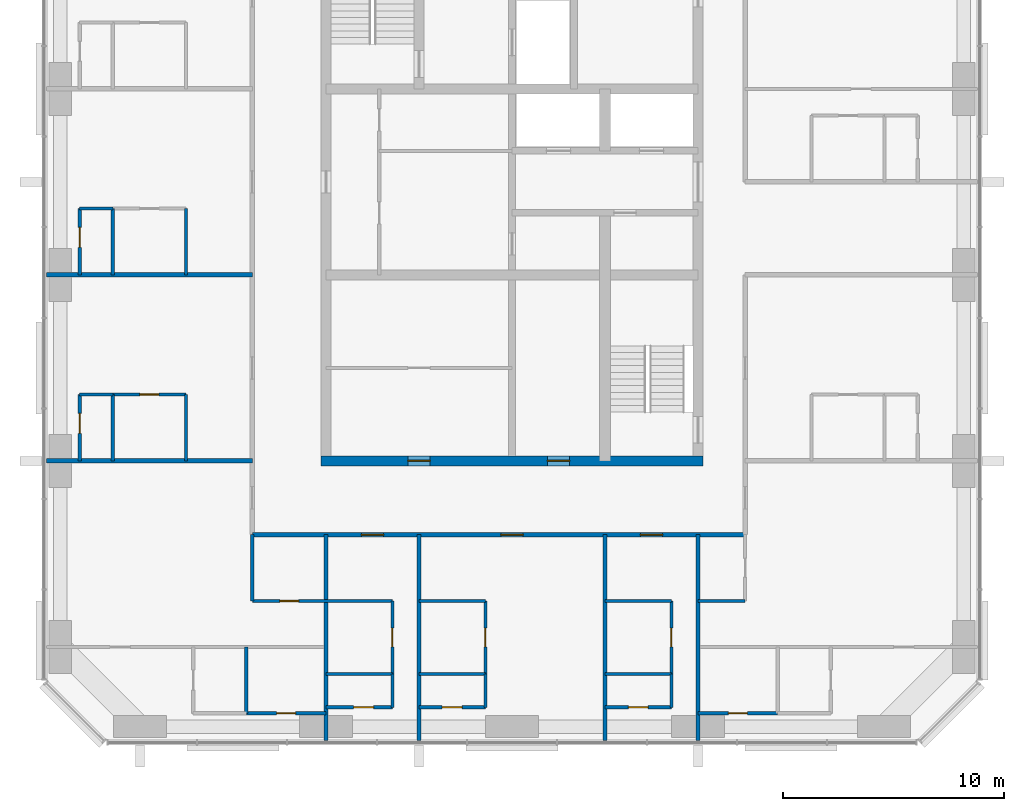
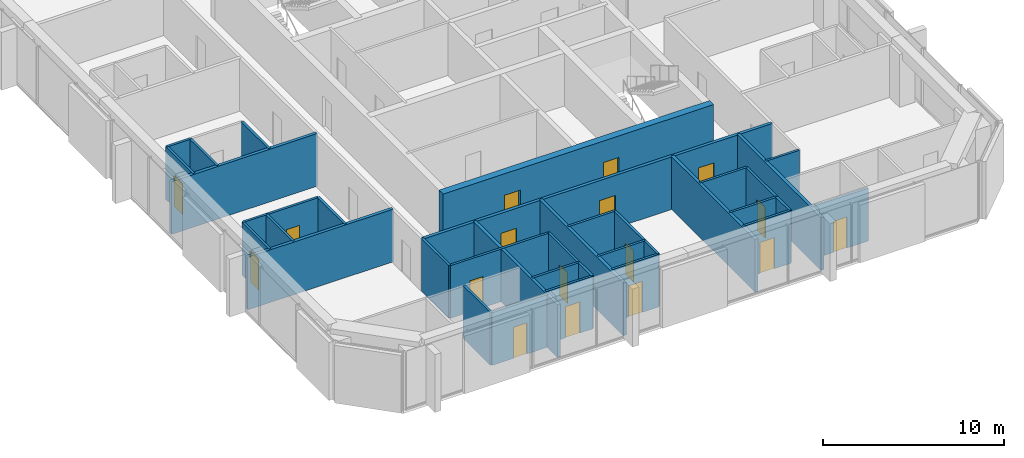
# One storey, part 7 of 12: 37 walls, 17 doors, 17 openings.
"""IFC4 building model written with IfcOpenShell, lengths in metres."""

import ifcopenshell
import ifcopenshell.guid

model = None  # the IFC model being written
_history = None  # IfcOwnerHistory: only IFC2X3 demands one
_inside = {}  # id of a spatial element -> (the spatial element, [elements in it])
_under = {}  # id of a project, library or spatial element -> (it, [spatial elements below it])
_declared = {}  # id of a project -> (the project, [libraries it declares])
_typed = {}  # id of a type object -> (the type object, [elements of that type])
_made_of = {}  # id of a material, layer set ... -> (it, [elements and type objects made of it])


def new_model(schema):
    """Start an empty IFC model of exactly this schema.

    Asked for "IFC4X3", IfcOpenShell would pick the latest addendum, in which some entities
    have other attributes; the version numbers below select the first issue.
    IFC2X3 requires an IfcOwnerHistory on every rooted entity: one is made here for all.
    """
    global model, _history
    if schema == "IFC4X3":
        model = ifcopenshell.file(schema_version=(4, 3, 0, 0))
    else:
        model = ifcopenshell.file(schema=schema)
    _inside.clear()
    _under.clear()
    _declared.clear()
    _typed.clear()
    _made_of.clear()
    _history = None
    if model.schema == "IFC2X3":
        org = make("IfcOrganization", Name="unknown")
        user = make(
            "IfcPersonAndOrganization",
            ThePerson=make("IfcPerson", FamilyName="unknown"),
            TheOrganization=org,
        )
        app = make(
            "IfcApplication",
            ApplicationDeveloper=org,
            Version="unknown",
            ApplicationFullName="unknown",
            ApplicationIdentifier="unknown",
        )
        _history = make(
            "IfcOwnerHistory",
            OwningUser=user,
            OwningApplication=app,
            ChangeAction="ADDED",
            CreationDate=0,
        )
    return model


def make(cls, **values):
    """One entity of the class cls with the attributes given. An attribute that is None is left unset."""
    return model.create_entity(
        cls, **{name: value for name, value in values.items() if value is not None}
    )


def rooted(cls, **values):
    """An entity with a GlobalId (a new one), such as an element, a storey or a relation."""
    return make(cls, GlobalId=ifcopenshell.guid.new(), OwnerHistory=_history, **values)


def si_unit(unit_type, name, prefix=None):
    """IfcSIUnit, for example si_unit("LENGTHUNIT", "METRE", prefix="MILLI")."""
    return make("IfcSIUnit", UnitType=unit_type, Prefix=prefix, Name=name)


def assignment(units):
    """IfcUnitAssignment: the units of a project."""
    return None if units is None else make("IfcUnitAssignment", Units=units)


def point(xyz):
    """IfcCartesianPoint."""
    return None if xyz is None else make("IfcCartesianPoint", Coordinates=xyz)


def direction(xyz):
    """IfcDirection."""
    return None if xyz is None else make("IfcDirection", DirectionRatios=xyz)


def frame(location, z_axis=None, x_axis=None):
    """IfcAxis2Placement3D, a coordinate frame: its origin and axes. An axis left out is left unset."""
    return make(
        "IfcAxis2Placement3D",
        Location=point(location),
        Axis=direction(z_axis),
        RefDirection=direction(x_axis),
    )


def frame_2d(location, x_axis=None):
    """IfcAxis2Placement2D, a coordinate frame in the plane: its origin and x axis."""
    return make(
        "IfcAxis2Placement2D", Location=point(location), RefDirection=direction(x_axis)
    )


def origin():
    """The frame at (0, 0, 0) with its axes left unset."""
    return frame((0.0, 0.0, 0.0))


def place(relative_to, where):
    """IfcLocalPlacement: puts the frame where relative to a parent placement (None: the world)."""
    return make(
        "IfcLocalPlacement", PlacementRelTo=relative_to, RelativePlacement=where
    )


def context(
    kind, dimensions, precision=None, world=None, true_north=None, identifier=None
):
    """IfcGeometricRepresentationContext, for example the 3D "Model" context."""
    return make(
        "IfcGeometricRepresentationContext",
        ContextIdentifier=identifier,
        ContextType=kind,
        CoordinateSpaceDimension=dimensions,
        Precision=precision,
        WorldCoordinateSystem=world,
        TrueNorth=true_north,
    )


def subcontext(parent, identifier, kind, view, scale=None):
    """IfcGeometricRepresentationSubContext, for example "Body" below "Model"."""
    return make(
        "IfcGeometricRepresentationSubContext",
        ContextIdentifier=identifier,
        ContextType=kind,
        ParentContext=parent,
        TargetScale=scale,
        TargetView=view,
    )


def project(units=None, contexts=None):
    """IfcProject with its units and contexts."""
    return rooted(
        "IfcProject",
        Name="project",
        RepresentationContexts=contexts,
        UnitsInContext=assignment(units),
    )


def spatial(cls, under=None, at=None, **own):
    """A site, building, storey or space (cls), placed at a placement, below another one or the project."""
    s = rooted(cls, ObjectPlacement=at, **own)
    if under is not None:
        _under.setdefault(under.id(), (under, []))[1].append(s)
    return s


def profile(cls, at=None, kind="AREA", **sizes):
    """A parametric profile (cls). Its sizes go by their IFC names, for example OverallWidth=200.0."""
    return make(cls, ProfileType=kind, Position=at, **sizes)


def rectangle(**sizes):
    """IfcRectangleProfileDef."""
    return profile("IfcRectangleProfileDef", **sizes)


def extrude(swept, where, along, depth):
    """IfcExtrudedAreaSolid: the profile swept, set in the frame where, extruded along a direction by depth."""
    return make(
        "IfcExtrudedAreaSolid",
        SweptArea=swept,
        Position=where,
        ExtrudedDirection=direction(along),
        Depth=depth,
    )


def shape(context_of_items, identifier, shape_type, items):
    """IfcShapeRepresentation: the items that make up one representation, for example the "Body"."""
    return make(
        "IfcShapeRepresentation",
        ContextOfItems=context_of_items,
        RepresentationIdentifier=identifier,
        RepresentationType=shape_type,
        Items=items,
    )


def material(Name=None, Category=None):
    """IfcMaterial."""
    return make("IfcMaterial", Name=Name, Category=Category)


def layer(
    of_material, thickness, ventilated=None, Name=None, Category=None, Priority=None
):
    """IfcMaterialLayer: one layer of a wall or slab, of a material (None: an air gap)."""
    return make(
        "IfcMaterialLayer",
        Material=of_material,
        LayerThickness=thickness,
        IsVentilated=ventilated,
        Name=Name,
        Category=Category,
        Priority=Priority,
    )


def layer_set(layers, Name=None):
    """IfcMaterialLayerSet."""
    return make("IfcMaterialLayerSet", MaterialLayers=layers, LayerSetName=Name)


def made_of(thing, what):
    """Note that an element or type object is made of a material, layer set ...; save() writes the relation."""
    if what is not None:
        _made_of.setdefault(what.id(), (what, []))[1].append(thing)
    return thing


def type_object(cls, material=None, **own):
    """A type object (cls), such as IfcWallType, which elements share."""
    return made_of(rooted(cls, **own), material)


def element(
    cls,
    number,
    at=None,
    inside=None,
    cuts=None,
    type_object=None,
    material=None,
    context=None,
    identifier="Body",
    shape_type=None,
    held_by="IfcProductDefinitionShape",
    body=None,
    shapes=None,
    **own,
):
    """One element of the class cls, such as IfcWall. Its Tag is "e" and its number.

    at: its placement. inside: the storey or other place that contains it. cuts: it is an
    opening in that element (IfcRelVoidsElement). A single representation is given by context,
    identifier, shape_type and body (its items); several are given by shapes. held_by: the class
    of the entity that holds the representations. save() writes the other relations.
    """
    e = rooted(cls, Tag="e%d" % number, ObjectPlacement=at, **own)
    if body is not None:
        shapes = [shape(context, identifier, shape_type, body)]
    if shapes is not None:
        e.Representation = make(held_by, Representations=shapes)
    if inside is not None:
        _inside.setdefault(inside.id(), (inside, []))[1].append(e)
    if cuts is not None:
        rooted(
            "IfcRelVoidsElement", RelatingBuildingElement=cuts, RelatedOpeningElement=e
        )
    if type_object is not None:
        _typed.setdefault(type_object.id(), (type_object, []))[1].append(e)
    return made_of(e, material)


def fill(opening, filler):
    """IfcRelFillsElement: the door or window that sits in an opening."""
    return rooted(
        "IfcRelFillsElement",
        RelatingOpeningElement=opening,
        RelatedBuildingElement=filler,
    )


def aggregate(whole, parts):
    """IfcRelAggregates: a whole, such as a stair, and the parts it consists of."""
    return rooted("IfcRelAggregates", RelatingObject=whole, RelatedObjects=parts)


def save(model, path):
    """Write the relations noted so far, then the file.

    IfcRelAggregates (storeys below a building ...), IfcRelContainedInSpatialStructure (elements
    in a storey), IfcRelDefinesByType, IfcRelAssociatesMaterial and IfcRelDeclares: one each for
    every whole, place, type object, material and project.
    """
    for whole, parts in _under.values():
        aggregate(whole, parts)
    for where, things in _inside.values():
        rooted(
            "IfcRelContainedInSpatialStructure",
            RelatedElements=things,
            RelatingStructure=where,
        )
    for kind, things in _typed.values():
        rooted("IfcRelDefinesByType", RelatedObjects=things, RelatingType=kind)
    for what, things in _made_of.values():
        rooted("IfcRelAssociatesMaterial", RelatedObjects=things, RelatingMaterial=what)
    for by, libraries in _declared.values():
        rooted("IfcRelDeclares", RelatingContext=by, RelatedDefinitions=libraries)
    model.write(path)


model = new_model("IFC4")

# Units and contexts
model_context = context("Model", 3, precision=1e-05, world=origin(), true_north=direction((0.0, 1.0)))
body_context = subcontext(model_context, "Body", "Model", "MODEL_VIEW")
ifc_project = project(units=[si_unit("LENGTHUNIT", "METRE"), si_unit("AREAUNIT", "SQUARE_METRE"), si_unit("VOLUMEUNIT", "CUBIC_METRE"), si_unit("PLANEANGLEUNIT", "RADIAN"), si_unit("MASSUNIT", "GRAM", prefix="KILO")], contexts=[model_context])

# Site, building, storey
site_placement = place(None, origin())
site = spatial("IfcSite", under=ifc_project, at=site_placement, CompositionType="ELEMENT")
building_placement = place(site_placement, origin())
building = spatial("IfcBuilding", under=site, at=building_placement, Name="Dunama Terrace Hotel", CompositionType="ELEMENT")
storey_placement = place(building_placement, frame((0.0, 0.0, 249.0)))
storey = spatial("IfcBuildingStorey", under=building, at=storey_placement, Name="L64", CompositionType="ELEMENT", Elevation=249.0)

# Walls
ifc_material_1 = material(Name="Gypsum board partition", Category="masonry")
ifc_layer_1 = layer(ifc_material_1, 0.14990234375)
ifc_layer_set_1 = layer_set([ifc_layer_1], Name="Bathroom partition 150")
wall_type_1 = type_object("IfcWallType", Name="Bathroom partition 150", PredefinedType="PARTITIONING", material=ifc_layer_set_1)
for number, where, z_axis, x_axis, name in (
    (1, (18.875, 16.800048828125, 0.0), (0.0, 0.0, 1.0), (0.0, 1.0, 0.0), "Bathroom partition 150 L64"),
    (2, (18.875, 25.199951171875, 0.0), (0.0, 0.0, 1.0), (0.0, 1.0, 0.0), "Bathroom partition 150 L64"),
    (3, (21.875, 10.47509765625, 0.0), (0.0, 0.0, 1.0), (0.0, 1.0, 0.0), "Bathroom partition 150 L64"),
):
    element("IfcWall", number, at=place(storey_placement, frame(where, z_axis=z_axis, x_axis=x_axis)), inside=storey, type_object=wall_type_1, Name=name, PredefinedType="PARTITIONING", context=body_context, shape_type="SweptSolid", body=[
        extrude(rectangle(XDim=3.0, YDim=0.14990234375, at=frame_2d((1.5, 0.0))), origin(), (0.0, 0.0, 1.0), 3.550048828125),
    ])

# Wall, opening, door
wall_1_placement = place(storey_placement, frame((28.199951171875, 7.175048828125, 0.0), z_axis=(0.0, 0.0, 1.0), x_axis=(0.0, 1.0, 0.0)))
wall_1 = element("IfcWall", 4, at=wall_1_placement, inside=storey, type_object=wall_type_1, Name="Bathroom partition 150 L64", PredefinedType="PARTITIONING", context=body_context, shape_type="SweptSolid", body=[
    extrude(rectangle(XDim=3.300048828125, YDim=0.14990234375, at=frame_2d((1.64990234375, 0.0))), origin(), (0.0, 0.0, 1.0), 3.550048828125),
])
opening_1_placement = place(wall_1_placement, frame((1.22509765625, 0.0, 0.0)))
opening_1 = element("IfcOpeningElement", 5, at=opening_1_placement, cuts=wall_1, Name="Opening L62-64-008", PredefinedType="OPENING", context=body_context, shape_type="SweptSolid", body=[
    extrude(rectangle(XDim=0.85009765625, YDim=2.10009765625, at=frame_2d((0.425048828125, 1.050048828125))), frame((0.0, 0.0849609375, 0.0), z_axis=(0.0, -1.0, 0.0), x_axis=(1.0, 0.0, 0.0)), (0.0, 0.0, 1.0), 0.169921875),
])
ifc_material_2 = material(Name="Timber door with steel frame", Category="steel")
door_type_1 = type_object("IfcDoorType", Name="Bathroom door 850", OperationType="SINGLE_SWING_LEFT", PredefinedType="DOOR", material=ifc_material_2)
door_1_placement = place(opening_1_placement, origin())
door_1 = element("IfcDoor", 6, at=door_1_placement, inside=storey, type_object=door_type_1, Name="Door to en-suite bathroom L62-64-008, type D2", OperationType="SINGLE_SWING_LEFT", OverallHeight=2.10009765625, OverallWidth=0.85009765625, PredefinedType="DOOR", context=body_context, shape_type="SweptSolid", body=[
    extrude(rectangle(XDim=0.85009765625, YDim=2.10009765625, at=frame_2d((0.425048828125, 1.050048828125))), frame((0.0, 0.02490234375, 0.0), z_axis=(0.0, -1.0, 0.0), x_axis=(1.0, 0.0, 0.0)), (0.0, 0.0, 1.0), 0.050048828125),
])
fill(opening_1, door_1)

wall_2_placement = place(storey_placement, frame((32.39990234375, 7.175048828125, 0.0), z_axis=(0.0, 0.0, 1.0), x_axis=(0.0, 1.0, 0.0)))
wall_2 = element("IfcWall", 7, at=wall_2_placement, inside=storey, type_object=wall_type_1, Name="Bathroom partition 150 L64", PredefinedType="PARTITIONING", context=body_context, shape_type="SweptSolid", body=[
    extrude(rectangle(XDim=3.300048828125, YDim=0.14990234375, at=frame_2d((1.64990234375, 0.0))), origin(), (0.0, 0.0, 1.0), 3.550048828125),
])
opening_2_placement = place(wall_2_placement, frame((1.22509765625, 0.0, 0.0)))
opening_2 = element("IfcOpeningElement", 8, at=opening_2_placement, cuts=wall_2, Name="Opening L62-64-011", PredefinedType="OPENING", context=body_context, shape_type="SweptSolid", body=[
    extrude(rectangle(XDim=0.85009765625, YDim=2.10009765625, at=frame_2d((0.425048828125, 1.050048828125))), frame((0.0, 0.0849609375, 0.0), z_axis=(0.0, -1.0, 0.0), x_axis=(1.0, 0.0, 0.0)), (0.0, 0.0, 1.0), 0.169921875),
])
door_2_placement = place(opening_2_placement, origin())
door_2 = element("IfcDoor", 9, at=door_2_placement, inside=storey, type_object=door_type_1, Name="Door to en-suite bathroom L62-64-011, type D2", OperationType="SINGLE_SWING_LEFT", OverallHeight=2.10009765625, OverallWidth=0.85009765625, PredefinedType="DOOR", context=body_context, shape_type="SweptSolid", body=[
    extrude(rectangle(XDim=0.85009765625, YDim=2.10009765625, at=frame_2d((0.425048828125, 1.050048828125))), frame((0.0, 0.02490234375, 0.0), z_axis=(0.0, -1.0, 0.0), x_axis=(1.0, 0.0, 0.0)), (0.0, 0.0, 1.0), 0.050048828125),
])
fill(opening_2, door_2)

wall_3_placement = place(storey_placement, frame((40.800048828125, 7.175048828125, 0.0), z_axis=(0.0, 0.0, 1.0), x_axis=(0.0, 1.0, 0.0)))
wall_3 = element("IfcWall", 10, at=wall_3_placement, inside=storey, type_object=wall_type_1, Name="Bathroom partition 150 L64", PredefinedType="PARTITIONING", context=body_context, shape_type="SweptSolid", body=[
    extrude(rectangle(XDim=3.300048828125, YDim=0.14990234375, at=frame_2d((1.64990234375, 0.0))), origin(), (0.0, 0.0, 1.0), 3.550048828125),
])
opening_3_placement = place(wall_3_placement, frame((1.22509765625, 0.0, 0.0)))
opening_3 = element("IfcOpeningElement", 11, at=opening_3_placement, cuts=wall_3, Name="Opening L62-64-014", PredefinedType="OPENING", context=body_context, shape_type="SweptSolid", body=[
    extrude(rectangle(XDim=0.85009765625, YDim=2.10009765625, at=frame_2d((0.425048828125, 1.050048828125))), frame((0.0, 0.0849609375, 0.0), z_axis=(0.0, -1.0, 0.0), x_axis=(1.0, 0.0, 0.0)), (0.0, 0.0, 1.0), 0.169921875),
])
door_3_placement = place(opening_3_placement, origin())
door_3 = element("IfcDoor", 12, at=door_3_placement, inside=storey, type_object=door_type_1, Name="Door to en-suite bathroom L62-64-014, type D2", OperationType="SINGLE_SWING_LEFT", OverallHeight=2.10009765625, OverallWidth=0.85009765625, PredefinedType="DOOR", context=body_context, shape_type="SweptSolid", body=[
    extrude(rectangle(XDim=0.85009765625, YDim=2.10009765625, at=frame_2d((0.425048828125, 1.050048828125))), frame((0.0, 0.02490234375, 0.0), z_axis=(0.0, -1.0, 0.0), x_axis=(1.0, 0.0, 0.0)), (0.0, 0.0, 1.0), 0.050048828125),
])
fill(opening_3, door_3)

wall_4_placement = place(storey_placement, frame((21.60009765625, 5.39990234375, 0.0), z_axis=(0.0, 0.0, 1.0), x_axis=(1.0, 0.0, 0.0)))
wall_4 = element("IfcWall", 13, at=wall_4_placement, inside=storey, type_object=wall_type_1, Name="Bathroom partition 150 L64", PredefinedType="PARTITIONING", context=body_context, shape_type="SweptSolid", body=[
    extrude(rectangle(XDim=3.599853515625, YDim=0.14990234375, at=frame_2d((1.7998046875, 0.0))), origin(), (0.0, 0.0, 1.0), 3.550048828125),
])
opening_4_placement = place(wall_4_placement, frame((1.375, 0.0, 0.0)))
opening_4 = element("IfcOpeningElement", 14, at=opening_4_placement, cuts=wall_4, Name="Opening L62-64-044", PredefinedType="OPENING", context=body_context, shape_type="SweptSolid", body=[
    extrude(rectangle(XDim=0.85009765625, YDim=2.10009765625, at=frame_2d((0.425048828125, 1.050048828125))), frame((0.0, 0.0849609375, 0.0), z_axis=(0.0, -1.0, 0.0), x_axis=(1.0, 0.0, 0.0)), (0.0, 0.0, 1.0), 0.169921875),
])
door_4_placement = place(opening_4_placement, origin())
door_4 = element("IfcDoor", 15, at=door_4_placement, inside=storey, type_object=door_type_1, Name="Door to en-suite bathroom L62-64-044, type D2", OperationType="SINGLE_SWING_RIGHT", OverallHeight=2.10009765625, OverallWidth=0.85009765625, PredefinedType="DOOR", context=body_context, shape_type="SweptSolid", body=[
    extrude(rectangle(XDim=0.85009765625, YDim=2.10009765625, at=frame_2d((0.425048828125, 1.050048828125))), frame((0.0, 0.02490234375, 0.0), z_axis=(0.0, -1.0, 0.0), x_axis=(1.0, 0.0, 0.0)), (0.0, 0.0, 1.0), 0.050048828125),
])
fill(opening_4, door_4)

wall_5_placement = place(storey_placement, frame((42.0, 5.39990234375, 0.0), z_axis=(0.0, 0.0, 1.0), x_axis=(1.0, 0.0, 0.0)))
wall_5 = element("IfcWall", 16, at=wall_5_placement, inside=storey, type_object=wall_type_1, Name="Bathroom partition 150 L64", PredefinedType="PARTITIONING", context=body_context, shape_type="SweptSolid", body=[
    extrude(rectangle(XDim=3.60009765625, YDim=0.14990234375, at=frame_2d((1.800048828125, 0.0))), origin(), (0.0, 0.0, 1.0), 3.550048828125),
])
opening_5_placement = place(wall_5_placement, frame((1.375, 0.0, 0.0)))
opening_5 = element("IfcOpeningElement", 17, at=opening_5_placement, cuts=wall_5, Name="Opening L62-64-049", PredefinedType="OPENING", context=body_context, shape_type="SweptSolid", body=[
    extrude(rectangle(XDim=0.85009765625, YDim=2.10009765625, at=frame_2d((0.425048828125, 1.050048828125))), frame((0.0, 0.0849609375, 0.0), z_axis=(0.0, -1.0, 0.0), x_axis=(1.0, 0.0, 0.0)), (0.0, 0.0, 1.0), 0.169921875),
])
door_5_placement = place(opening_5_placement, origin())
door_5 = element("IfcDoor", 18, at=door_5_placement, inside=storey, type_object=door_type_1, Name="Door to en-suite bathroom L62-64-049, type D2", OperationType="SINGLE_SWING_LEFT", OverallHeight=2.10009765625, OverallWidth=0.85009765625, PredefinedType="DOOR", context=body_context, shape_type="SweptSolid", body=[
    extrude(rectangle(XDim=0.85009765625, YDim=2.10009765625, at=frame_2d((0.425048828125, 1.050048828125))), frame((0.0, 0.02490234375, 0.0), z_axis=(0.0, -1.0, 0.0), x_axis=(1.0, 0.0, 0.0)), (0.0, 0.0, 1.0), 0.050048828125),
])
fill(opening_5, door_5)

wall_6_placement = place(storey_placement, frame((21.875, 10.47509765625, 0.0), z_axis=(0.0, 0.0, 1.0), x_axis=(1.0, 0.0, 0.0)))
wall_6 = element("IfcWall", 19, at=wall_6_placement, inside=storey, type_object=wall_type_1, Name="Bathroom partition 150 L64", PredefinedType="PARTITIONING", context=body_context, shape_type="SweptSolid", body=[
    extrude(rectangle(XDim=6.324951171875, YDim=0.14990234375, at=frame_2d((3.16259765625, 0.0))), origin(), (0.0, 0.0, 1.0), 3.550048828125),
])
opening_6_placement = place(wall_6_placement, frame((1.238037109375, 0.0, 0.0)))
opening_6 = element("IfcOpeningElement", 20, at=opening_6_placement, cuts=wall_6, Name="Opening L62-64-042", PredefinedType="OPENING", context=body_context, shape_type="SweptSolid", body=[
    extrude(rectangle(XDim=0.85009765625, YDim=2.10009765625, at=frame_2d((0.425048828125, 1.050048828125))), frame((0.0, 0.0849609375, 0.0), z_axis=(0.0, -1.0, 0.0), x_axis=(1.0, 0.0, 0.0)), (0.0, 0.0, 1.0), 0.169921875),
])
door_6_placement = place(opening_6_placement, origin())
door_6 = element("IfcDoor", 21, at=door_6_placement, inside=storey, type_object=door_type_1, Name="Door to powder room L62-64-042, type D2", OperationType="SINGLE_SWING_RIGHT", OverallHeight=2.10009765625, OverallWidth=0.85009765625, PredefinedType="DOOR", context=body_context, shape_type="SweptSolid", body=[
    extrude(rectangle(XDim=0.85009765625, YDim=2.10009765625, at=frame_2d((0.425048828125, 1.050048828125))), frame((0.0, 0.02490234375, 0.0), z_axis=(0.0, -1.0, 0.0), x_axis=(1.0, 0.0, 0.0)), (0.0, 0.0, 1.0), 0.050048828125),
])
fill(opening_6, door_6)

# Walls
for number, where, z_axis, x_axis, name in (
    (22, (29.39990234375, 10.47509765625, 0.0), (0.0, 0.0, 1.0), (1.0, 0.0, 0.0), "Bathroom partition 150 L64"),
    (23, (37.800048828125, 10.47509765625, 0.0), (0.0, 0.0, 1.0), (1.0, 0.0, 0.0), "Bathroom partition 150 L64"),
):
    element("IfcWall", number, at=place(storey_placement, frame(where, z_axis=z_axis, x_axis=x_axis)), inside=storey, type_object=wall_type_1, Name=name, PredefinedType="PARTITIONING", context=body_context, shape_type="SweptSolid", body=[
        extrude(rectangle(XDim=3.0, YDim=0.14990234375, at=frame_2d((1.5, 0.0))), origin(), (0.0, 0.0, 1.0), 3.550048828125),
    ])
wall_7_placement = place(storey_placement, frame((42.0, 10.47509765625, 0.0), z_axis=(0.0, 0.0, 1.0), x_axis=(1.0, 0.0, 0.0)))
element("IfcWall", 24, at=wall_7_placement, inside=storey, type_object=wall_type_1, Name="Bathroom partition 150 L64", PredefinedType="PARTITIONING", context=body_context, shape_type="SweptSolid", body=[
    extrude(rectangle(XDim=2.125, YDim=0.14990234375, at=frame_2d((1.0625, 0.0))), origin(), (0.0, 0.0, 1.0), 3.550048828125),
])

# Wall, opening, door
wall_8_placement = place(storey_placement, frame((15.574951171875, 19.800048828125, 0.0), z_axis=(0.0, 0.0, 1.0), x_axis=(1.0, 0.0, 0.0)))
wall_8 = element("IfcWall", 25, at=wall_8_placement, inside=storey, type_object=wall_type_1, Name="Bathroom partition 150 L64", PredefinedType="PARTITIONING", context=body_context, shape_type="SweptSolid", body=[
    extrude(rectangle(XDim=3.300048828125, YDim=0.14990234375, at=frame_2d((1.64990234375, 0.0))), origin(), (0.0, 0.0, 1.0), 3.550048828125),
])
opening_7_placement = place(wall_8_placement, frame((1.22509765625, 0.0, 0.0)))
opening_7 = element("IfcOpeningElement", 26, at=opening_7_placement, cuts=wall_8, Name="Opening L62-64-033", PredefinedType="OPENING", context=body_context, shape_type="SweptSolid", body=[
    extrude(rectangle(XDim=0.85009765625, YDim=2.10009765625, at=frame_2d((0.425048828125, 1.050048828125))), frame((0.0, 0.0849609375, 0.0), z_axis=(0.0, -1.0, 0.0), x_axis=(1.0, 0.0, 0.0)), (0.0, 0.0, 1.0), 0.169921875),
])
door_7_placement = place(opening_7_placement, frame((0.85009765625, 0.0, 0.0), z_axis=(0.0, 0.0, 1.0), x_axis=(-1.0, 0.0, 0.0)))
door_7 = element("IfcDoor", 27, at=door_7_placement, inside=storey, type_object=door_type_1, Name="Door to en-suite bathroom L62-64-033, type D2", OperationType="SINGLE_SWING_LEFT", OverallHeight=2.10009765625, OverallWidth=0.85009765625, PredefinedType="DOOR", context=body_context, shape_type="SweptSolid", body=[
    extrude(rectangle(XDim=0.85009765625, YDim=2.10009765625, at=frame_2d((0.425048828125, 1.050048828125))), frame((0.0, 0.025146484375, 0.0), z_axis=(0.0, -1.0, 0.0), x_axis=(1.0, 0.0, 0.0)), (0.0, 0.0, 1.0), 0.050048828125),
])
fill(opening_7, door_7)

# Wall, openings, doors
ifc_material_3 = material(Name="Concrete C50/60", Category="concrete")
ifc_layer_2 = layer(ifc_material_3, 0.449951171875)
ifc_layer_set_2 = layer_set([ifc_layer_2], Name="Core wall 450")
wall_type_2 = type_object("IfcWallType", Name="Core wall 450", PredefinedType="SHEAR", material=ifc_layer_set_2)
wall_9_placement = place(storey_placement, frame((24.97509765625, 16.800048828125, -0.35009765625), z_axis=(0.0, 0.0, 1.0), x_axis=(1.0, 0.0, 0.0)))
wall_9 = element("IfcWall", 28, at=wall_9_placement, inside=storey, type_object=wall_type_2, Name="Core wall south L64", PredefinedType="SHEAR", context=body_context, shape_type="SweptSolid", body=[
    extrude(rectangle(XDim=17.25, YDim=0.449951171875, at=frame_2d((8.625, 0.0))), origin(), (0.0, 0.0, 1.0), 3.900146484375),
])
opening_8_placement = place(wall_9_placement, frame((3.925048828125, 0.0, 0.35009765625)))
opening_8 = element("IfcOpeningElement", 29, at=opening_8_placement, cuts=wall_9, Name="Opening L62-64-069", PredefinedType="OPENING", context=body_context, shape_type="SweptSolid", body=[
    extrude(rectangle(XDim=1.0, YDim=2.10009765625, at=frame_2d((0.5, 1.050048828125))), frame((0.0, 0.23486328125, 0.0), z_axis=(0.0, -1.0, 0.0), x_axis=(1.0, 0.0, 0.0)), (0.0, 0.0, 1.0), 0.469970703125),
])
opening_9_placement = place(wall_9_placement, frame((10.22509765625, 0.0, 0.35009765625)))
opening_9 = element("IfcOpeningElement", 30, at=opening_9_placement, cuts=wall_9, Name="Opening L62-64-071", PredefinedType="OPENING", context=body_context, shape_type="SweptSolid", body=[
    extrude(rectangle(XDim=1.0, YDim=2.10009765625, at=frame_2d((0.5, 1.050048828125))), frame((0.0, 0.23486328125, 0.0), z_axis=(0.0, -1.0, 0.0), x_axis=(1.0, 0.0, 0.0)), (0.0, 0.0, 1.0), 0.469970703125),
])
ifc_material_4 = material(Name="Timber door with steel frame", Category="steel")
door_type_2 = type_object("IfcDoorType", Name="Service door 1000", OperationType="SINGLE_SWING_LEFT", PredefinedType="DOOR", material=ifc_material_4)
door_8_placement = place(opening_8_placement, origin())
door_8 = element("IfcDoor", 31, at=door_8_placement, inside=storey, type_object=door_type_2, Name="Door to corridor air handling room L62-64-069, type D7", OperationType="SINGLE_SWING_LEFT", OverallHeight=2.10009765625, OverallWidth=1.0, PredefinedType="DOOR", context=body_context, shape_type="SweptSolid", body=[
    extrude(rectangle(XDim=1.0, YDim=2.10009765625, at=frame_2d((0.5, 1.050048828125))), frame((0.0, 0.02490234375, 0.0), z_axis=(0.0, -1.0, 0.0), x_axis=(1.0, 0.0, 0.0)), (0.0, 0.0, 1.0), 0.050048828125),
])
fill(opening_8, door_8)
door_9_placement = place(opening_9_placement, origin())
door_9 = element("IfcDoor", 32, at=door_9_placement, inside=storey, type_object=door_type_2, Name="Door to water riser room L62-64-071, type D7", OperationType="SINGLE_SWING_RIGHT", OverallHeight=2.10009765625, OverallWidth=1.0, PredefinedType="DOOR", context=body_context, shape_type="SweptSolid", body=[
    extrude(rectangle(XDim=1.0, YDim=2.10009765625, at=frame_2d((0.5, 1.050048828125))), frame((0.0, 0.02490234375, 0.0), z_axis=(0.0, -1.0, 0.0), x_axis=(1.0, 0.0, 0.0)), (0.0, 0.0, 1.0), 0.050048828125),
])
fill(opening_9, door_9)

ifc_material_5 = material(Name="Concrete blockwork", Category="masonry")
ifc_layer_3 = layer(ifc_material_5, 0.199951171875)
ifc_layer_set_3 = layer_set([ifc_layer_3], Name="Corridor partition 200")
wall_type_3 = type_object("IfcWallType", Name="Corridor partition 200", PredefinedType="PARTITIONING", material=ifc_layer_set_3)
wall_10_placement = place(storey_placement, frame((44.125, 13.47509765625, 0.0), z_axis=(0.0, 0.0, 1.0), x_axis=(-1.0, 0.0, 0.0)))
wall_10 = element("IfcWall", 33, at=wall_10_placement, inside=storey, type_object=wall_type_3, Name="Corridor partition 200 L64", PredefinedType="PARTITIONING", context=body_context, shape_type="SweptSolid", body=[
    extrude(rectangle(XDim=22.25, YDim=0.199951171875, at=frame_2d((11.125, 0.0))), origin(), (0.0, 0.0, 1.0), 3.550048828125),
])
opening_10_placement = place(wall_10_placement, frame((16.324951171875, 0.0, 0.0)))
opening_10 = element("IfcOpeningElement", 34, at=opening_10_placement, cuts=wall_10, Name="Opening L62-64-007", PredefinedType="OPENING", context=body_context, shape_type="SweptSolid", body=[
    extrude(rectangle(XDim=1.0, YDim=2.199951171875, at=frame_2d((0.5, 1.10009765625))), frame((0.0, 0.10986328125, 0.0), z_axis=(0.0, -1.0, 0.0), x_axis=(1.0, 0.0, 0.0)), (0.0, 0.0, 1.0), 0.219970703125),
])
opening_11_placement = place(wall_10_placement, frame((10.02490234375, 0.0, 0.0)))
opening_11 = element("IfcOpeningElement", 35, at=opening_11_placement, cuts=wall_10, Name="Opening L62-64-010", PredefinedType="OPENING", context=body_context, shape_type="SweptSolid", body=[
    extrude(rectangle(XDim=1.0, YDim=2.199951171875, at=frame_2d((0.5, 1.10009765625))), frame((0.0, 0.10986328125, 0.0), z_axis=(0.0, -1.0, 0.0), x_axis=(1.0, 0.0, 0.0)), (0.0, 0.0, 1.0), 0.219970703125),
])
opening_12_placement = place(wall_10_placement, frame((3.72509765625, 0.0, 0.0)))
opening_12 = element("IfcOpeningElement", 36, at=opening_12_placement, cuts=wall_10, Name="Opening L62-64-013", PredefinedType="OPENING", context=body_context, shape_type="SweptSolid", body=[
    extrude(rectangle(XDim=1.0, YDim=2.199951171875, at=frame_2d((0.5, 1.10009765625))), frame((0.0, 0.10986328125, 0.0), z_axis=(0.0, -1.0, 0.0), x_axis=(1.0, 0.0, 0.0)), (0.0, 0.0, 1.0), 0.219970703125),
])
ifc_material_6 = material(Name="Timber door with steel frame", Category="steel")
door_type_3 = type_object("IfcDoorType", Name="Guest room door 1000", OperationType="SINGLE_SWING_LEFT", PredefinedType="DOOR", material=ifc_material_6)
door_10_placement = place(opening_10_placement, origin())
door_10 = element("IfcDoor", 37, at=door_10_placement, inside=storey, type_object=door_type_3, Name="Door to studio suite L62-64-007, type D1", OperationType="SINGLE_SWING_LEFT", OverallHeight=2.199951171875, OverallWidth=1.0, PredefinedType="DOOR", context=body_context, shape_type="SweptSolid", body=[
    extrude(rectangle(XDim=1.0, YDim=2.199951171875, at=frame_2d((0.5, 1.10009765625))), frame((0.0, 0.02490234375, 0.0), z_axis=(0.0, -1.0, 0.0), x_axis=(1.0, 0.0, 0.0)), (0.0, 0.0, 1.0), 0.050048828125),
])
fill(opening_10, door_10)
door_11_placement = place(opening_11_placement, origin())
door_11 = element("IfcDoor", 38, at=door_11_placement, inside=storey, type_object=door_type_3, Name="Door to junior suite L62-64-010, type D1", OperationType="SINGLE_SWING_RIGHT", OverallHeight=2.199951171875, OverallWidth=1.0, PredefinedType="DOOR", context=body_context, shape_type="SweptSolid", body=[
    extrude(rectangle(XDim=1.0, YDim=2.199951171875, at=frame_2d((0.5, 1.10009765625))), frame((0.0, 0.02490234375, 0.0), z_axis=(0.0, -1.0, 0.0), x_axis=(1.0, 0.0, 0.0)), (0.0, 0.0, 1.0), 0.050048828125),
])
fill(opening_11, door_11)
door_12_placement = place(opening_12_placement, origin())
door_12 = element("IfcDoor", 39, at=door_12_placement, inside=storey, type_object=door_type_3, Name="Door to studio suite L62-64-013, type D1", OperationType="SINGLE_SWING_LEFT", OverallHeight=2.199951171875, OverallWidth=1.0, PredefinedType="DOOR", context=body_context, shape_type="SweptSolid", body=[
    extrude(rectangle(XDim=1.0, YDim=2.199951171875, at=frame_2d((0.5, 1.10009765625))), frame((0.0, 0.02490234375, 0.0), z_axis=(0.0, -1.0, 0.0), x_axis=(1.0, 0.0, 0.0)), (0.0, 0.0, 1.0), 0.050048828125),
])
fill(opening_12, door_12)

# Walls
ifc_material_7 = material(Name="Concrete blockwork", Category="masonry")
ifc_layer_4 = layer(ifc_material_7, 0.199951171875)
ifc_layer_set_4 = layer_set([ifc_layer_4], Name="Party wall 200")
wall_type_4 = type_object("IfcWallType", Name="Party wall 200", PredefinedType="PARTITIONING", material=ifc_layer_set_4)
for number, where, z_axis, x_axis, name in (
    (40, (25.199951171875, 4.181884765625, 0.0), (0.0, 0.0, 1.0), (0.0, 1.0, 0.0), "Party wall 200 L64"),
    (41, (29.39990234375, 4.181884765625, 0.0), (0.0, 0.0, 1.0), (0.0, 1.0, 0.0), "Party wall 200 L64"),
    (42, (37.800048828125, 4.181884765625, 0.0), (0.0, 0.0, 1.0), (0.0, 1.0, 0.0), "Party wall 200 L64"),
    (43, (42.0, 4.181884765625, 0.0), (0.0, 0.0, 1.0), (0.0, 1.0, 0.0), "Party wall 200 L64"),
):
    element("IfcWall", number, at=place(storey_placement, frame(where, z_axis=z_axis, x_axis=x_axis)), inside=storey, type_object=wall_type_4, Name=name, PredefinedType="PARTITIONING", context=body_context, shape_type="SweptSolid", body=[
        extrude(rectangle(XDim=9.293212890625, YDim=0.199951171875, at=frame_2d((4.646484375, 0.0))), origin(), (0.0, 0.0, 1.0), 3.550048828125),
    ])
for number, where, z_axis, x_axis, name in (
    (44, (12.58203125, 16.800048828125, 0.0), (0.0, 0.0, 1.0), (1.0, 0.0, 0.0), "Party wall 200 L64"),
    (45, (12.58203125, 25.199951171875, 0.0), (0.0, 0.0, 1.0), (1.0, 0.0, 0.0), "Party wall 200 L64"),
):
    element("IfcWall", number, at=place(storey_placement, frame(where, z_axis=z_axis, x_axis=x_axis)), inside=storey, type_object=wall_type_4, Name=name, PredefinedType="PARTITIONING", context=body_context, shape_type="SweptSolid", body=[
        extrude(rectangle(XDim=9.29296875, YDim=0.199951171875, at=frame_2d((4.646484375, 0.0))), origin(), (0.0, 0.0, 1.0), 3.550048828125),
    ])

# Wall, opening, door
ifc_material_8 = material(Name="Gypsum board partition", Category="masonry")
ifc_layer_5 = layer(ifc_material_8, 0.14990234375)
ifc_layer_set_5 = layer_set([ifc_layer_5], Name="Room partition 150")
wall_type_5 = type_object("IfcWallType", Name="Room partition 150", PredefinedType="PARTITIONING", material=ifc_layer_set_5)
wall_11_placement = place(storey_placement, frame((14.074951171875, 16.800048828125, 0.0), z_axis=(0.0, 0.0, 1.0), x_axis=(0.0, 1.0, 0.0)))
wall_11 = element("IfcWall", 46, at=wall_11_placement, inside=storey, type_object=wall_type_5, Name="Room partition 150 L64", PredefinedType="PARTITIONING", context=body_context, shape_type="SweptSolid", body=[
    extrude(rectangle(XDim=3.0, YDim=0.14990234375, at=frame_2d((1.5, 0.0))), origin(), (0.0, 0.0, 1.0), 3.550048828125),
])
opening_13_placement = place(wall_11_placement, frame((1.25, 0.0, 0.0)))
opening_13 = element("IfcOpeningElement", 47, at=opening_13_placement, cuts=wall_11, Name="Opening L62-64-034", PredefinedType="OPENING", context=body_context, shape_type="SweptSolid", body=[
    extrude(rectangle(XDim=0.89990234375, YDim=2.10009765625, at=frame_2d((0.449951171875, 1.050048828125))), frame((0.0, 0.0849609375, 0.0), z_axis=(0.0, -1.0, 0.0), x_axis=(1.0, 0.0, 0.0)), (0.0, 0.0, 1.0), 0.169921875),
])
ifc_material_9 = material(Name="Timber door with steel frame", Category="steel")
door_type_4 = type_object("IfcDoorType", Name="Suite internal door 900", OperationType="SINGLE_SWING_LEFT", PredefinedType="DOOR", material=ifc_material_9)
door_13_placement = place(opening_13_placement, frame((0.89990234375, 0.0, 0.0), z_axis=(0.0, 0.0, 1.0), x_axis=(-1.0, 0.0, 0.0)))
door_13 = element("IfcDoor", 48, at=door_13_placement, inside=storey, type_object=door_type_4, Name="Door to walk-in wardrobe L62-64-034, type D16", OperationType="SINGLE_SWING_RIGHT", OverallHeight=2.10009765625, OverallWidth=0.89990234375, PredefinedType="DOOR", context=body_context, shape_type="SweptSolid", body=[
    extrude(rectangle(XDim=0.89990234375, YDim=2.10009765625, at=frame_2d((0.449951171875, 1.050048828125))), frame((0.0, 0.025146484375, 0.0), z_axis=(0.0, -1.0, 0.0), x_axis=(1.0, 0.0, 0.0)), (0.0, 0.0, 1.0), 0.050048828125),
])
fill(opening_13, door_13)

wall_12_placement = place(storey_placement, frame((14.074951171875, 25.199951171875, 0.0), z_axis=(0.0, 0.0, 1.0), x_axis=(0.0, 1.0, 0.0)))
wall_12 = element("IfcWall", 49, at=wall_12_placement, inside=storey, type_object=wall_type_5, Name="Room partition 150 L64", PredefinedType="PARTITIONING", context=body_context, shape_type="SweptSolid", body=[
    extrude(rectangle(XDim=3.0, YDim=0.14990234375, at=frame_2d((1.5, 0.0))), origin(), (0.0, 0.0, 1.0), 3.550048828125),
])
opening_14_placement = place(wall_12_placement, frame((1.25, 0.0, 0.0)))
opening_14 = element("IfcOpeningElement", 50, at=opening_14_placement, cuts=wall_12, Name="Opening L62-64-037", PredefinedType="OPENING", context=body_context, shape_type="SweptSolid", body=[
    extrude(rectangle(XDim=0.89990234375, YDim=2.10009765625, at=frame_2d((0.449951171875, 1.050048828125))), frame((0.0, 0.0849609375, 0.0), z_axis=(0.0, -1.0, 0.0), x_axis=(1.0, 0.0, 0.0)), (0.0, 0.0, 1.0), 0.169921875),
])
door_14_placement = place(opening_14_placement, frame((0.89990234375, 0.0, 0.0), z_axis=(0.0, 0.0, 1.0), x_axis=(-1.0, 0.0, 0.0)))
door_14 = element("IfcDoor", 51, at=door_14_placement, inside=storey, type_object=door_type_4, Name="Door to walk-in wardrobe L62-64-037, type D16", OperationType="SINGLE_SWING_RIGHT", OverallHeight=2.10009765625, OverallWidth=0.89990234375, PredefinedType="DOOR", context=body_context, shape_type="SweptSolid", body=[
    extrude(rectangle(XDim=0.89990234375, YDim=2.10009765625, at=frame_2d((0.449951171875, 1.050048828125))), frame((0.0, 0.025146484375, 0.0), z_axis=(0.0, -1.0, 0.0), x_axis=(1.0, 0.0, 0.0)), (0.0, 0.0, 1.0), 0.050048828125),
])
fill(opening_14, door_14)

# Walls
for number, where, z_axis, x_axis, name in (
    (52, (15.574951171875, 16.800048828125, 0.0), (0.0, 0.0, 1.0), (0.0, 1.0, 0.0), "Room partition 150 L64"),
    (53, (15.574951171875, 25.199951171875, 0.0), (0.0, 0.0, 1.0), (0.0, 1.0, 0.0), "Room partition 150 L64"),
    (54, (21.60009765625, 5.39990234375, 0.0), (0.0, 0.0, 1.0), (0.0, 1.0, 0.0), "Room partition 150 L64"),
):
    element("IfcWall", number, at=place(storey_placement, frame(where, z_axis=z_axis, x_axis=x_axis)), inside=storey, type_object=wall_type_5, Name=name, PredefinedType="PARTITIONING", context=body_context, shape_type="SweptSolid", body=[
        extrude(rectangle(XDim=3.0, YDim=0.14990234375, at=frame_2d((1.5, 0.0))), origin(), (0.0, 0.0, 1.0), 3.550048828125),
    ])
for number, where, z_axis, x_axis, name in (
    (55, (28.199951171875, 5.675048828125, 0.0), (0.0, 0.0, 1.0), (0.0, 1.0, 0.0), "Room partition 150 L64"),
    (56, (32.39990234375, 5.675048828125, 0.0), (0.0, 0.0, 1.0), (0.0, 1.0, 0.0), "Room partition 150 L64"),
    (57, (40.800048828125, 5.675048828125, 0.0), (0.0, 0.0, 1.0), (0.0, 1.0, 0.0), "Room partition 150 L64"),
):
    element("IfcWall", number, at=place(storey_placement, frame(where, z_axis=z_axis, x_axis=x_axis)), inside=storey, type_object=wall_type_5, Name=name, PredefinedType="PARTITIONING", context=body_context, shape_type="SweptSolid", body=[
        extrude(rectangle(XDim=1.5, YDim=0.14990234375, at=frame_2d((0.75, 0.0))), origin(), (0.0, 0.0, 1.0), 3.550048828125),
    ])

# Wall, opening, door
wall_13_placement = place(storey_placement, frame((25.199951171875, 5.675048828125, 0.0), z_axis=(0.0, 0.0, 1.0), x_axis=(1.0, 0.0, 0.0)))
wall_13 = element("IfcWall", 58, at=wall_13_placement, inside=storey, type_object=wall_type_5, Name="Room partition 150 L64", PredefinedType="PARTITIONING", context=body_context, shape_type="SweptSolid", body=[
    extrude(rectangle(XDim=3.0, YDim=0.14990234375, at=frame_2d((1.5, 0.0))), origin(), (0.0, 0.0, 1.0), 3.550048828125),
])
opening_15_placement = place(wall_13_placement, frame((1.25, 0.0, 0.0)))
opening_15 = element("IfcOpeningElement", 59, at=opening_15_placement, cuts=wall_13, Name="Opening L62-64-009", PredefinedType="OPENING", context=body_context, shape_type="SweptSolid", body=[
    extrude(rectangle(XDim=0.89990234375, YDim=2.10009765625, at=frame_2d((0.449951171875, 1.050048828125))), frame((0.0, 0.0849609375, 0.0), z_axis=(0.0, -1.0, 0.0), x_axis=(1.0, 0.0, 0.0)), (0.0, 0.0, 1.0), 0.169921875),
])
door_15_placement = place(opening_15_placement, origin())
door_15 = element("IfcDoor", 60, at=door_15_placement, inside=storey, type_object=door_type_4, Name="Door to walk-in wardrobe L62-64-009, type D16", OperationType="SINGLE_SWING_LEFT", OverallHeight=2.10009765625, OverallWidth=0.89990234375, PredefinedType="DOOR", context=body_context, shape_type="SweptSolid", body=[
    extrude(rectangle(XDim=0.89990234375, YDim=2.10009765625, at=frame_2d((0.449951171875, 1.050048828125))), frame((0.0, 0.02490234375, 0.0), z_axis=(0.0, -1.0, 0.0), x_axis=(1.0, 0.0, 0.0)), (0.0, 0.0, 1.0), 0.050048828125),
])
fill(opening_15, door_15)

wall_14_placement = place(storey_placement, frame((29.39990234375, 5.675048828125, 0.0), z_axis=(0.0, 0.0, 1.0), x_axis=(1.0, 0.0, 0.0)))
wall_14 = element("IfcWall", 61, at=wall_14_placement, inside=storey, type_object=wall_type_5, Name="Room partition 150 L64", PredefinedType="PARTITIONING", context=body_context, shape_type="SweptSolid", body=[
    extrude(rectangle(XDim=3.0, YDim=0.14990234375, at=frame_2d((1.5, 0.0))), origin(), (0.0, 0.0, 1.0), 3.550048828125),
])
opening_16_placement = place(wall_14_placement, frame((1.050048828125, 0.0, 0.0)))
opening_16 = element("IfcOpeningElement", 62, at=opening_16_placement, cuts=wall_14, Name="Opening L62-64-012", PredefinedType="OPENING", context=body_context, shape_type="SweptSolid", body=[
    extrude(rectangle(XDim=0.89990234375, YDim=2.10009765625, at=frame_2d((0.449951171875, 1.050048828125))), frame((0.0, 0.0849609375, 0.0), z_axis=(0.0, -1.0, 0.0), x_axis=(1.0, 0.0, 0.0)), (0.0, 0.0, 1.0), 0.169921875),
])
door_16_placement = place(opening_16_placement, origin())
door_16 = element("IfcDoor", 63, at=door_16_placement, inside=storey, type_object=door_type_4, Name="Door to walk-in wardrobe L62-64-012, type D16", OperationType="SINGLE_SWING_LEFT", OverallHeight=2.10009765625, OverallWidth=0.89990234375, PredefinedType="DOOR", context=body_context, shape_type="SweptSolid", body=[
    extrude(rectangle(XDim=0.89990234375, YDim=2.10009765625, at=frame_2d((0.449951171875, 1.050048828125))), frame((0.0, 0.02490234375, 0.0), z_axis=(0.0, -1.0, 0.0), x_axis=(1.0, 0.0, 0.0)), (0.0, 0.0, 1.0), 0.050048828125),
])
fill(opening_16, door_16)

wall_15_placement = place(storey_placement, frame((37.800048828125, 5.675048828125, 0.0), z_axis=(0.0, 0.0, 1.0), x_axis=(1.0, 0.0, 0.0)))
wall_15 = element("IfcWall", 64, at=wall_15_placement, inside=storey, type_object=wall_type_5, Name="Room partition 150 L64", PredefinedType="PARTITIONING", context=body_context, shape_type="SweptSolid", body=[
    extrude(rectangle(XDim=3.0, YDim=0.14990234375, at=frame_2d((1.5, 0.0))), origin(), (0.0, 0.0, 1.0), 3.550048828125),
])
opening_17_placement = place(wall_15_placement, frame((1.050048828125, 0.0, 0.0)))
opening_17 = element("IfcOpeningElement", 65, at=opening_17_placement, cuts=wall_15, Name="Opening L62-64-015", PredefinedType="OPENING", context=body_context, shape_type="SweptSolid", body=[
    extrude(rectangle(XDim=0.89990234375, YDim=2.10009765625, at=frame_2d((0.449951171875, 1.050048828125))), frame((0.0, 0.0849609375, 0.0), z_axis=(0.0, -1.0, 0.0), x_axis=(1.0, 0.0, 0.0)), (0.0, 0.0, 1.0), 0.169921875),
])
door_17_placement = place(opening_17_placement, origin())
door_17 = element("IfcDoor", 66, at=door_17_placement, inside=storey, type_object=door_type_4, Name="Door to walk-in wardrobe L62-64-015, type D16", OperationType="SINGLE_SWING_LEFT", OverallHeight=2.10009765625, OverallWidth=0.89990234375, PredefinedType="DOOR", context=body_context, shape_type="SweptSolid", body=[
    extrude(rectangle(XDim=0.89990234375, YDim=2.10009765625, at=frame_2d((0.449951171875, 1.050048828125))), frame((0.0, 0.02490234375, 0.0), z_axis=(0.0, -1.0, 0.0), x_axis=(1.0, 0.0, 0.0)), (0.0, 0.0, 1.0), 0.050048828125),
])
fill(opening_17, door_17)

# Walls
for number, where, z_axis, x_axis, name in (
    (67, (25.199951171875, 7.175048828125, 0.0), (0.0, 0.0, 1.0), (1.0, 0.0, 0.0), "Room partition 150 L64"),
    (68, (29.39990234375, 7.175048828125, 0.0), (0.0, 0.0, 1.0), (1.0, 0.0, 0.0), "Room partition 150 L64"),
    (69, (37.800048828125, 7.175048828125, 0.0), (0.0, 0.0, 1.0), (1.0, 0.0, 0.0), "Room partition 150 L64"),
):
    element("IfcWall", number, at=place(storey_placement, frame(where, z_axis=z_axis, x_axis=x_axis)), inside=storey, type_object=wall_type_5, Name=name, PredefinedType="PARTITIONING", context=body_context, shape_type="SweptSolid", body=[
        extrude(rectangle(XDim=3.0, YDim=0.14990234375, at=frame_2d((1.5, 0.0))), origin(), (0.0, 0.0, 1.0), 3.550048828125),
    ])
for number, where, z_axis, x_axis, name in (
    (70, (14.074951171875, 19.800048828125, 0.0), (0.0, 0.0, 1.0), (1.0, 0.0, 0.0), "Room partition 150 L64"),
    (71, (14.074951171875, 28.199951171875, 0.0), (0.0, 0.0, 1.0), (1.0, 0.0, 0.0), "Room partition 150 L64"),
):
    element("IfcWall", number, at=place(storey_placement, frame(where, z_axis=z_axis, x_axis=x_axis)), inside=storey, type_object=wall_type_5, Name=name, PredefinedType="PARTITIONING", context=body_context, shape_type="SweptSolid", body=[
        extrude(rectangle(XDim=1.5, YDim=0.14990234375, at=frame_2d((0.75, 0.0))), origin(), (0.0, 0.0, 1.0), 3.550048828125),
    ])

save(model, "model.ifc")
